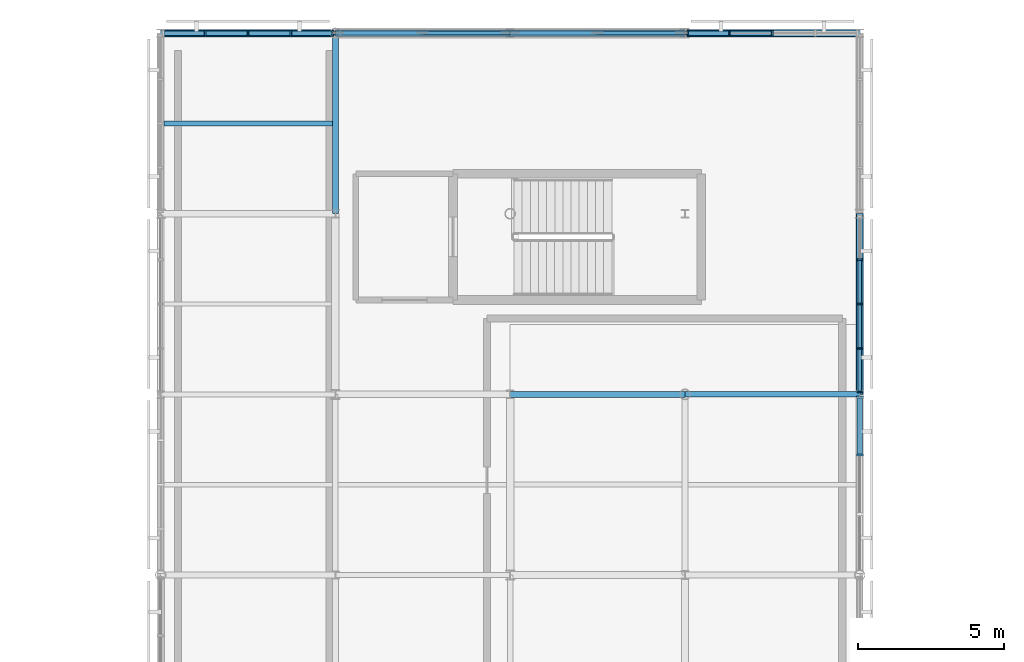
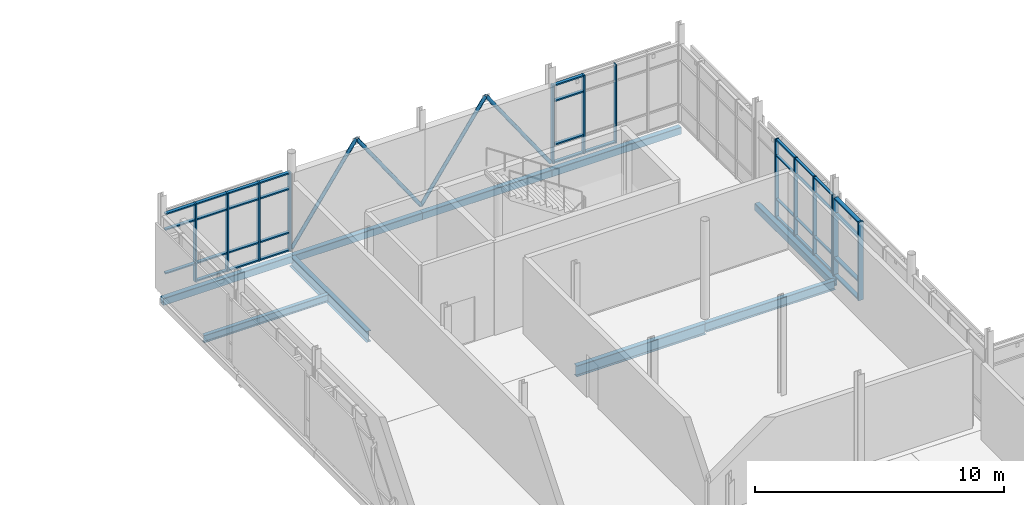
# One storey, part 33 of 66: 53 members, 9 beams, 4 elements without a shape of their own.
"""IFC4 building model written with IfcOpenShell, lengths in metres."""

from ifc_helpers import new_model, si_unit, direction, frame, origin, origin_2d, place, context, subcontext, project, spatial, rectangle, hollow_rectangle, hollow_circle, i_section, extrude, material, layer, layer_set, material_profile, profile_set, type_object, element, aggregate, save


model = new_model("IFC4")

# Units and contexts
model_context = context("Model", 3, precision=1e-05, world=origin(), true_north=direction((0.0, 1.0)))
body_context = subcontext(model_context, "Body", "Model", "MODEL_VIEW")
ifc_project = project(units=[si_unit("LENGTHUNIT", "METRE"), si_unit("AREAUNIT", "SQUARE_METRE"), si_unit("VOLUMEUNIT", "CUBIC_METRE"), si_unit("PLANEANGLEUNIT", "RADIAN"), si_unit("MASSUNIT", "GRAM", prefix="KILO")], contexts=[model_context])

# Site, building, storey
site_placement = place(None, origin())
site = spatial("IfcSite", under=ifc_project, at=site_placement, CompositionType="ELEMENT")
building_placement = place(site_placement, origin())
building = spatial("IfcBuilding", under=site, at=building_placement, Name="Mirzam Square Science Centre", CompositionType="ELEMENT")
storey_placement = place(building_placement, frame((0.0, 0.0, 15.60009765625)))
storey = spatial("IfcBuildingStorey", under=building, at=storey_placement, Name="L03", CompositionType="ELEMENT", Elevation=15.60009765625)

# Beams
ifc_material_1 = material(Name="Steel S355", Category="steel")
ifc_material_profile_1 = material_profile(ifc_material_1, i_section(OverallWidth=0.19140625, OverallDepth=0.4599609375, WebThickness=0.010009765625, FlangeThickness=0.01611328125, FilletRadius=0.01025390625, at=origin_2d()), Name="457x191x82UB")
ifc_profile_set_1 = profile_set([ifc_material_profile_1], Name="Steel S355")
beam_type_1 = type_object("IfcBeamType", Name="BM-UB457", PredefinedType="BEAM", material=ifc_profile_set_1)
beam_1_placement = place(storey_placement, frame((132.0, 99.199951171875, -0.47998046875), z_axis=(1.0, 0.0, 0.0), x_axis=(0.0, 1.0, 0.0)))
element("IfcBeam", 1, at=beam_1_placement, inside=storey, type_object=beam_type_1, Name="L03 girder X23-17", PredefinedType="BEAM", context=body_context, shape_type="SweptSolid", body=[
    extrude(i_section(OverallWidth=0.19140625, OverallDepth=0.4599609375, WebThickness=0.010009765625, FlangeThickness=0.01611328125, FilletRadius=0.01025390625, at=origin_2d()), origin(), (0.0, 0.0, 1.0), 6.0),
])
ifc_material_profile_2 = material_profile(ifc_material_1, i_section(OverallWidth=0.2099609375, OverallDepth=0.53662109375, WebThickness=0.0107421875, FlangeThickness=0.017333984375, FilletRadius=0.0126953125, at=origin_2d()), Name="533x210x101UB")
ifc_profile_set_2 = profile_set([ifc_material_profile_2], Name="Steel S355")
beam_type_2 = type_object("IfcBeamType", Name="BM-UB533", PredefinedType="BEAM", material=ifc_profile_set_2)
beam_2_placement = place(storey_placement, frame((126.0, 99.199951171875, -0.5185546875), z_axis=(1.0, 0.0, 0.0), x_axis=(0.0, 1.0, 0.0)))
element("IfcBeam", 2, at=beam_2_placement, inside=storey, type_object=beam_type_2, Name="L03 girder X22-17", PredefinedType="BEAM", context=body_context, shape_type="SweptSolid", body=[
    extrude(i_section(OverallWidth=0.2099609375, OverallDepth=0.53662109375, WebThickness=0.0107421875, FlangeThickness=0.017333984375, FilletRadius=0.0126953125, at=origin_2d()), origin(), (0.0, 0.0, 1.0), 6.0),
])
beam_3_placement = place(storey_placement, frame((120.0, 105.39990234375, -0.5185546875), z_axis=(0.0, 1.0, 0.0), x_axis=(-1.0, 0.0, 0.0)))
element("IfcBeam", 3, at=beam_3_placement, inside=storey, type_object=beam_type_2, Name="L03 girder Y21-18", PredefinedType="BEAM", context=body_context, shape_type="SweptSolid", body=[
    extrude(i_section(OverallWidth=0.2099609375, OverallDepth=0.53662109375, WebThickness=0.0107421875, FlangeThickness=0.017333984375, FilletRadius=0.0126953125, at=origin_2d()), origin(), (0.0, 0.0, 1.0), 6.2001953125),
])

# Members
ifc_material_profile_3 = material_profile(ifc_material_1, hollow_circle(Radius=0.084228515625, WallThickness=0.008056640625, at=origin_2d()), Name="168.3x8.0CHS")
ifc_profile_set_3 = profile_set([ifc_material_profile_3], Name="Steel S355")
member_type_1 = type_object("IfcMemberType", Name="BR-CHS168", PredefinedType="BRACE", material=ifc_profile_set_3)
for number, where, z_axis, x_axis, name in (
    (4, (120.0, 111.60009765625, 0.0498046875), (0.569933306564, 0.0, 0.821690955329), (0.0, 1.0, 0.0), "L03 chevron brace 8A"),
    (5, (126.0, 111.60009765625, 0.0498046875), (-0.569933306564, 0.0, 0.821690955329), (0.0, -1.0, 0.0), "L03 chevron brace 8B"),
    (6, (126.0, 111.60009765625, 0.0498046875), (0.569933306564, 0.0, 0.821690955329), (0.0, 1.0, 0.0), "L03 chevron brace 9A"),
    (7, (132.0, 111.60009765625, 0.0498046875), (-0.569933306564, 0.0, 0.821690955329), (0.0, -1.0, 0.0), "L03 chevron brace 9B"),
):
    element("IfcMember", number, at=place(storey_placement, frame(where, z_axis=z_axis, x_axis=x_axis)), inside=storey, type_object=member_type_1, Name=name, PredefinedType="BRACE", context=body_context, shape_type="SweptSolid", body=[
        extrude(hollow_circle(Radius=0.084228515625, WallThickness=0.008056640625, at=origin_2d()), origin(), (0.0, 0.0, 1.0), 5.263671875),
    ])

# Curtain wall, members
ifc_material_2 = material(Name="Anodised Aluminium and Low-E Solar Glass", Category="aluminium")
ifc_layer_1 = layer(ifc_material_2, 0.219970703125)
ifc_layer_set_1 = layer_set([ifc_layer_1], Name="CW-OBS-A")
curtain_wall_type_1 = type_object("IfcCurtainWallType", Name="CW-OBS-A", PredefinedType="USERDEFINED", material=ifc_layer_set_1)
curtain_wall_1_placement = place(storey_placement, origin())
curtain_wall_1 = element("IfcCurtainWall", 8, at=curtain_wall_1_placement, inside=storey, type_object=curtain_wall_type_1, Name="L03 unitised curtain wall 143", ObjectType="UNITISED CURTAIN WALL", PredefinedType="USERDEFINED")
ifc_material_3 = material(Name="Anodised Architectural Aluminium 6063-T6", Category="aluminium")
ifc_material_profile_4 = material_profile(ifc_material_3, rectangle(XDim=0.06005859375, YDim=0.159912109375, at=origin_2d()), Name="ALU-MULL-160x60x4")
ifc_profile_set_4 = profile_set([ifc_material_profile_4], Name="Anodised Architectural Aluminium 6063-T6")
member_type_2 = type_object("IfcMemberType", Name="CWM-160", PredefinedType="MULLION", material=ifc_profile_set_4)
member_1_placement = place(storey_placement, frame((138.0, 99.284912109375, 0.0), z_axis=(0.0, 0.0, 1.0), x_axis=(0.0, 1.0, 0.0)))
member_1 = element("IfcMember", 9, at=member_1_placement, type_object=member_type_2, Name="CW-07 mullion 1", PredefinedType="MULLION", context=body_context, shape_type="SweptSolid", body=[
    extrude(rectangle(XDim=0.06005859375, YDim=0.159912109375, at=origin_2d()), origin(), (0.0, 0.0, 1.0), 3.83984375),
])
member_2_placement = place(storey_placement, frame((138.0, 100.777587890625, 0.0), z_axis=(0.0, 0.0, 1.0), x_axis=(0.0, 1.0, 0.0)))
member_2 = element("IfcMember", 10, at=member_2_placement, type_object=member_type_2, Name="CW-07 mullion 2", PredefinedType="MULLION", context=body_context, shape_type="SweptSolid", body=[
    extrude(rectangle(XDim=0.06005859375, YDim=0.159912109375, at=origin_2d()), origin(), (0.0, 0.0, 1.0), 3.83984375),
])
member_3_placement = place(storey_placement, frame((138.0, 102.300048828125, 0.0), z_axis=(0.0, 0.0, 1.0), x_axis=(0.0, 1.0, 0.0)))
member_3 = element("IfcMember", 11, at=member_3_placement, type_object=member_type_2, Name="CW-07 mullion 3", PredefinedType="MULLION", context=body_context, shape_type="SweptSolid", body=[
    extrude(rectangle(XDim=0.06005859375, YDim=0.159912109375, at=origin_2d()), origin(), (0.0, 0.0, 1.0), 3.83984375),
])
member_4_placement = place(storey_placement, frame((138.0, 103.822509765625, 0.0), z_axis=(0.0, 0.0, 1.0), x_axis=(0.0, 1.0, 0.0)))
member_4 = element("IfcMember", 12, at=member_4_placement, type_object=member_type_2, Name="CW-07 mullion 4", PredefinedType="MULLION", context=body_context, shape_type="SweptSolid", body=[
    extrude(rectangle(XDim=0.06005859375, YDim=0.159912109375, at=origin_2d()), origin(), (0.0, 0.0, 1.0), 3.83984375),
])

ifc_layer_2 = layer(ifc_material_2, 0.159912109375)
ifc_layer_set_2 = layer_set([ifc_layer_2], Name="CW-COURT-B")
curtain_wall_type_2 = type_object("IfcCurtainWallType", Name="CW-COURT-B", PredefinedType="USERDEFINED", material=ifc_layer_set_2)
curtain_wall_2_placement = place(storey_placement, origin())
curtain_wall_2 = element("IfcCurtainWall", 13, at=curtain_wall_2_placement, inside=storey, type_object=curtain_wall_type_2, Name="L03 unitised curtain wall 136", ObjectType="UNITISED CURTAIN WALL", PredefinedType="USERDEFINED")
ifc_material_profile_5 = material_profile(ifc_material_3, rectangle(XDim=0.06494140625, YDim=0.199951171875, at=origin_2d()), Name="ALU-MULL-200x65x5")
ifc_profile_set_5 = profile_set([ifc_material_profile_5], Name="Anodised Architectural Aluminium 6063-T6")
member_type_3 = type_object("IfcMemberType", Name="CWM-200", PredefinedType="MULLION", material=ifc_profile_set_5)
member_5_placement = place(storey_placement, frame((119.91259765625, 111.60009765625, 0.0), z_axis=(0.0, 0.0, 1.0), x_axis=(-1.0, 0.0, 0.0)))
member_5 = element("IfcMember", 14, at=member_5_placement, type_object=member_type_3, Name="CW-04 mullion 1", PredefinedType="MULLION", context=body_context, shape_type="SweptSolid", body=[
    extrude(rectangle(XDim=0.06494140625, YDim=0.199951171875, at=origin_2d()), origin(), (0.0, 0.0, 1.0), 3.83984375),
])
member_6_placement = place(storey_placement, frame((118.472412109375, 111.60009765625, 0.0), z_axis=(0.0, 0.0, 1.0), x_axis=(-1.0, 0.0, 0.0)))
member_6 = element("IfcMember", 15, at=member_6_placement, type_object=member_type_3, Name="CW-04 mullion 2", PredefinedType="MULLION", context=body_context, shape_type="SweptSolid", body=[
    extrude(rectangle(XDim=0.06494140625, YDim=0.199951171875, at=origin_2d()), origin(), (0.0, 0.0, 1.0), 3.83984375),
])
member_7_placement = place(storey_placement, frame((117.0, 111.60009765625, 0.0), z_axis=(0.0, 0.0, 1.0), x_axis=(-1.0, 0.0, 0.0)))
member_7 = element("IfcMember", 16, at=member_7_placement, type_object=member_type_3, Name="CW-04 mullion 3", PredefinedType="MULLION", context=body_context, shape_type="SweptSolid", body=[
    extrude(rectangle(XDim=0.06494140625, YDim=0.199951171875, at=origin_2d()), origin(), (0.0, 0.0, 1.0), 3.83984375),
])
member_8_placement = place(storey_placement, frame((115.527587890625, 111.60009765625, 0.0), z_axis=(0.0, 0.0, 1.0), x_axis=(-1.0, 0.0, 0.0)))
member_8 = element("IfcMember", 17, at=member_8_placement, type_object=member_type_3, Name="CW-04 mullion 4", PredefinedType="MULLION", context=body_context, shape_type="SweptSolid", body=[
    extrude(rectangle(XDim=0.06494140625, YDim=0.199951171875, at=origin_2d()), origin(), (0.0, 0.0, 1.0), 3.83984375),
])

curtain_wall_3_placement = place(storey_placement, origin())
curtain_wall_3 = element("IfcCurtainWall", 18, at=curtain_wall_3_placement, inside=storey, type_object=curtain_wall_type_1, Name="L03 unitised curtain wall 137", ObjectType="UNITISED CURTAIN WALL", PredefinedType="USERDEFINED")
member_9_placement = place(storey_placement, frame((135.0, 111.60009765625, 0.0), z_axis=(0.0, 0.0, 1.0), x_axis=(-1.0, 0.0, 0.0)))
member_9 = element("IfcMember", 19, at=member_9_placement, type_object=member_type_3, Name="CW-07 mullion 3", PredefinedType="MULLION", context=body_context, shape_type="SweptSolid", body=[
    extrude(rectangle(XDim=0.06494140625, YDim=0.199951171875, at=origin_2d()), origin(), (0.0, 0.0, 1.0), 3.83984375),
])
member_10_placement = place(storey_placement, frame((133.527587890625, 111.60009765625, 0.0), z_axis=(0.0, 0.0, 1.0), x_axis=(-1.0, 0.0, 0.0)))
member_10 = element("IfcMember", 20, at=member_10_placement, type_object=member_type_3, Name="CW-07 mullion 4", PredefinedType="MULLION", context=body_context, shape_type="SweptSolid", body=[
    extrude(rectangle(XDim=0.06494140625, YDim=0.199951171875, at=origin_2d()), origin(), (0.0, 0.0, 1.0), 3.83984375),
])
member_11_placement = place(storey_placement, frame((132.08740234375, 111.60009765625, 0.0), z_axis=(0.0, 0.0, 1.0), x_axis=(-1.0, 0.0, 0.0)))
member_11 = element("IfcMember", 21, at=member_11_placement, type_object=member_type_3, Name="CW-07 mullion 5", PredefinedType="MULLION", context=body_context, shape_type="SweptSolid", body=[
    extrude(rectangle(XDim=0.06494140625, YDim=0.199951171875, at=origin_2d()), origin(), (0.0, 0.0, 1.0), 3.83984375),
])

ifc_layer_3 = layer(ifc_material_2, 0.239990234375)
ifc_layer_set_3 = layer_set([ifc_layer_3], Name="CW-EAST-B")
curtain_wall_type_3 = type_object("IfcCurtainWallType", Name="CW-EAST-B", PredefinedType="USERDEFINED", material=ifc_layer_set_3)
curtain_wall_4_placement = place(storey_placement, origin())
curtain_wall_4 = element("IfcCurtainWall", 22, at=curtain_wall_4_placement, inside=storey, type_object=curtain_wall_type_3, Name="L03 unitised curtain wall 141", ObjectType="UNITISED CURTAIN WALL", PredefinedType="USERDEFINED")
ifc_material_profile_6 = material_profile(ifc_material_3, rectangle(XDim=0.074951171875, YDim=0.239990234375, at=origin_2d()), Name="ALU-MULL-240x75x5")
ifc_profile_set_6 = profile_set([ifc_material_profile_6], Name="Anodised Architectural Aluminium 6063-T6")
member_type_4 = type_object("IfcMemberType", Name="CWM-240", PredefinedType="MULLION", material=ifc_profile_set_6)
member_12_placement = place(storey_placement, frame((138.0, 97.114990234375, 0.0), z_axis=(0.0, 0.0, 1.0), x_axis=(0.0, 1.0, 0.0)))
member_12 = element("IfcMember", 23, at=member_12_placement, type_object=member_type_4, Name="CW-06 mullion 3", PredefinedType="MULLION", context=body_context, shape_type="SweptSolid", body=[
    extrude(rectangle(XDim=0.074951171875, YDim=0.239990234375, at=origin_2d()), origin(), (0.0, 0.0, 1.0), 3.83984375),
])
member_13_placement = place(storey_placement, frame((138.0, 99.107421875, 0.0), z_axis=(0.0, 0.0, 1.0), x_axis=(0.0, 1.0, 0.0)))
member_13 = element("IfcMember", 24, at=member_13_placement, type_object=member_type_4, Name="CW-06 mullion 4", PredefinedType="MULLION", context=body_context, shape_type="SweptSolid", body=[
    extrude(rectangle(XDim=0.074951171875, YDim=0.239990234375, at=origin_2d()), origin(), (0.0, 0.0, 1.0), 3.83984375),
])

# Member
ifc_material_profile_7 = material_profile(ifc_material_3, rectangle(XDim=0.1201171875, YDim=0.06005859375, at=origin_2d()), Name="ALU-TRAN-120x60x4")
ifc_profile_set_7 = profile_set([ifc_material_profile_7], Name="Anodised Architectural Aluminium 6063-T6")
member_type_5 = type_object("IfcMemberType", Name="CWT-120", PredefinedType="USERDEFINED", material=ifc_profile_set_7)
member_14_placement = place(storey_placement, frame((138.0, 99.31494140625, 0.02978515625), z_axis=(0.0, 1.0, 0.0), x_axis=(-1.0, 0.0, 0.0)))
member_14 = element("IfcMember", 25, at=member_14_placement, type_object=member_type_5, Name="CW-07 transom 1.1", ObjectType="TRANSOM", PredefinedType="USERDEFINED", context=body_context, shape_type="SweptSolid", body=[
    extrude(rectangle(XDim=0.1201171875, YDim=0.06005859375, at=origin_2d()), origin(), (0.0, 0.0, 1.0), 1.4326171875),
])

member_15_placement = place(storey_placement, frame((138.0, 99.31494140625, 0.89990234375), z_axis=(0.0, 1.0, 0.0), x_axis=(-1.0, 0.0, 0.0)))
member_15 = element("IfcMember", 26, at=member_15_placement, type_object=member_type_5, Name="CW-07 transom 1.2", ObjectType="TRANSOM", PredefinedType="USERDEFINED", context=body_context, shape_type="SweptSolid", body=[
    extrude(rectangle(XDim=0.1201171875, YDim=0.06005859375, at=origin_2d()), origin(), (0.0, 0.0, 1.0), 1.4326171875),
])

member_16_placement = place(storey_placement, frame((138.0, 99.31494140625, 3.039794921875), z_axis=(0.0, 1.0, 0.0), x_axis=(-1.0, 0.0, 0.0)))
member_16 = element("IfcMember", 27, at=member_16_placement, type_object=member_type_5, Name="CW-07 transom 1.3", ObjectType="TRANSOM", PredefinedType="USERDEFINED", context=body_context, shape_type="SweptSolid", body=[
    extrude(rectangle(XDim=0.1201171875, YDim=0.06005859375, at=origin_2d()), origin(), (0.0, 0.0, 1.0), 1.4326171875),
])

member_17_placement = place(storey_placement, frame((138.0, 99.31494140625, 3.809814453125), z_axis=(0.0, 1.0, 0.0), x_axis=(-1.0, 0.0, 0.0)))
member_17 = element("IfcMember", 28, at=member_17_placement, type_object=member_type_5, Name="CW-07 transom 1.4", ObjectType="TRANSOM", PredefinedType="USERDEFINED", context=body_context, shape_type="SweptSolid", body=[
    extrude(rectangle(XDim=0.1201171875, YDim=0.06005859375, at=origin_2d()), origin(), (0.0, 0.0, 1.0), 1.4326171875),
])

member_18_placement = place(storey_placement, frame((138.0, 100.8076171875, 0.02978515625), z_axis=(0.0, 1.0, 0.0), x_axis=(-1.0, 0.0, 0.0)))
member_18 = element("IfcMember", 29, at=member_18_placement, type_object=member_type_5, Name="CW-07 transom 2.1", ObjectType="TRANSOM", PredefinedType="USERDEFINED", context=body_context, shape_type="SweptSolid", body=[
    extrude(rectangle(XDim=0.1201171875, YDim=0.06005859375, at=origin_2d()), origin(), (0.0, 0.0, 1.0), 1.46240234375),
])

member_19_placement = place(storey_placement, frame((138.0, 100.8076171875, 0.89990234375), z_axis=(0.0, 1.0, 0.0), x_axis=(-1.0, 0.0, 0.0)))
member_19 = element("IfcMember", 30, at=member_19_placement, type_object=member_type_5, Name="CW-07 transom 2.2", ObjectType="TRANSOM", PredefinedType="USERDEFINED", context=body_context, shape_type="SweptSolid", body=[
    extrude(rectangle(XDim=0.1201171875, YDim=0.06005859375, at=origin_2d()), origin(), (0.0, 0.0, 1.0), 1.46240234375),
])

member_20_placement = place(storey_placement, frame((138.0, 100.8076171875, 3.039794921875), z_axis=(0.0, 1.0, 0.0), x_axis=(-1.0, 0.0, 0.0)))
member_20 = element("IfcMember", 31, at=member_20_placement, type_object=member_type_5, Name="CW-07 transom 2.3", ObjectType="TRANSOM", PredefinedType="USERDEFINED", context=body_context, shape_type="SweptSolid", body=[
    extrude(rectangle(XDim=0.1201171875, YDim=0.06005859375, at=origin_2d()), origin(), (0.0, 0.0, 1.0), 1.46240234375),
])

member_21_placement = place(storey_placement, frame((138.0, 100.8076171875, 3.809814453125), z_axis=(0.0, 1.0, 0.0), x_axis=(-1.0, 0.0, 0.0)))
member_21 = element("IfcMember", 32, at=member_21_placement, type_object=member_type_5, Name="CW-07 transom 2.4", ObjectType="TRANSOM", PredefinedType="USERDEFINED", context=body_context, shape_type="SweptSolid", body=[
    extrude(rectangle(XDim=0.1201171875, YDim=0.06005859375, at=origin_2d()), origin(), (0.0, 0.0, 1.0), 1.46240234375),
])

member_22_placement = place(storey_placement, frame((138.0, 102.330078125, 0.02978515625), z_axis=(0.0, 1.0, 0.0), x_axis=(-1.0, 0.0, 0.0)))
member_22 = element("IfcMember", 33, at=member_22_placement, type_object=member_type_5, Name="CW-07 transom 3.1", ObjectType="TRANSOM", PredefinedType="USERDEFINED", context=body_context, shape_type="SweptSolid", body=[
    extrude(rectangle(XDim=0.1201171875, YDim=0.06005859375, at=origin_2d()), origin(), (0.0, 0.0, 1.0), 1.46240234375),
])

member_23_placement = place(storey_placement, frame((138.0, 102.330078125, 0.89990234375), z_axis=(0.0, 1.0, 0.0), x_axis=(-1.0, 0.0, 0.0)))
member_23 = element("IfcMember", 34, at=member_23_placement, type_object=member_type_5, Name="CW-07 transom 3.2", ObjectType="TRANSOM", PredefinedType="USERDEFINED", context=body_context, shape_type="SweptSolid", body=[
    extrude(rectangle(XDim=0.1201171875, YDim=0.06005859375, at=origin_2d()), origin(), (0.0, 0.0, 1.0), 1.46240234375),
])

member_24_placement = place(storey_placement, frame((138.0, 102.330078125, 3.039794921875), z_axis=(0.0, 1.0, 0.0), x_axis=(-1.0, 0.0, 0.0)))
member_24 = element("IfcMember", 35, at=member_24_placement, type_object=member_type_5, Name="CW-07 transom 3.3", ObjectType="TRANSOM", PredefinedType="USERDEFINED", context=body_context, shape_type="SweptSolid", body=[
    extrude(rectangle(XDim=0.1201171875, YDim=0.06005859375, at=origin_2d()), origin(), (0.0, 0.0, 1.0), 1.46240234375),
])

member_25_placement = place(storey_placement, frame((138.0, 102.330078125, 3.809814453125), z_axis=(0.0, 1.0, 0.0), x_axis=(-1.0, 0.0, 0.0)))
member_25 = element("IfcMember", 36, at=member_25_placement, type_object=member_type_5, Name="CW-07 transom 3.4", ObjectType="TRANSOM", PredefinedType="USERDEFINED", context=body_context, shape_type="SweptSolid", body=[
    extrude(rectangle(XDim=0.1201171875, YDim=0.06005859375, at=origin_2d()), origin(), (0.0, 0.0, 1.0), 1.46240234375),
])

aggregate(curtain_wall_1, [member_1, member_2, member_3, member_4, member_14, member_15, member_16, member_17, member_18, member_19, member_20, member_21, member_22, member_23, member_24, member_25])

ifc_material_profile_8 = material_profile(ifc_material_3, rectangle(XDim=0.14990234375, YDim=0.06494140625, at=origin_2d()), Name="ALU-TRAN-150x65x4")
ifc_profile_set_8 = profile_set([ifc_material_profile_8], Name="Anodised Architectural Aluminium 6063-T6")
member_type_6 = type_object("IfcMemberType", Name="CWT-150", PredefinedType="USERDEFINED", material=ifc_profile_set_8)
member_26_placement = place(storey_placement, frame((119.8798828125, 111.60009765625, 0.032470703125), z_axis=(-1.0, 0.0, 0.0), x_axis=(0.0, -1.0, 0.0)))
member_26 = element("IfcMember", 37, at=member_26_placement, type_object=member_type_6, Name="CW-04 transom 1.1", ObjectType="TRANSOM", PredefinedType="USERDEFINED", context=body_context, shape_type="SweptSolid", body=[
    extrude(rectangle(XDim=0.14990234375, YDim=0.06494140625, at=origin_2d()), origin(), (0.0, 0.0, 1.0), 1.375),
])

member_27_placement = place(storey_placement, frame((119.8798828125, 111.60009765625, 0.89990234375), z_axis=(-1.0, 0.0, 0.0), x_axis=(0.0, -1.0, 0.0)))
member_27 = element("IfcMember", 38, at=member_27_placement, type_object=member_type_6, Name="CW-04 transom 1.2", ObjectType="TRANSOM", PredefinedType="USERDEFINED", context=body_context, shape_type="SweptSolid", body=[
    extrude(rectangle(XDim=0.14990234375, YDim=0.06494140625, at=origin_2d()), origin(), (0.0, 0.0, 1.0), 1.375),
])

member_28_placement = place(storey_placement, frame((119.8798828125, 111.60009765625, 3.039794921875), z_axis=(-1.0, 0.0, 0.0), x_axis=(0.0, -1.0, 0.0)))
member_28 = element("IfcMember", 39, at=member_28_placement, type_object=member_type_6, Name="CW-04 transom 1.3", ObjectType="TRANSOM", PredefinedType="USERDEFINED", context=body_context, shape_type="SweptSolid", body=[
    extrude(rectangle(XDim=0.14990234375, YDim=0.06494140625, at=origin_2d()), origin(), (0.0, 0.0, 1.0), 1.375),
])

member_29_placement = place(storey_placement, frame((119.8798828125, 111.60009765625, 3.807373046875), z_axis=(-1.0, 0.0, 0.0), x_axis=(0.0, -1.0, 0.0)))
member_29 = element("IfcMember", 40, at=member_29_placement, type_object=member_type_6, Name="CW-04 transom 1.4", ObjectType="TRANSOM", PredefinedType="USERDEFINED", context=body_context, shape_type="SweptSolid", body=[
    extrude(rectangle(XDim=0.14990234375, YDim=0.06494140625, at=origin_2d()), origin(), (0.0, 0.0, 1.0), 1.375),
])

member_30_placement = place(storey_placement, frame((118.43994140625, 111.60009765625, 0.032470703125), z_axis=(-1.0, 0.0, 0.0), x_axis=(0.0, -1.0, 0.0)))
member_30 = element("IfcMember", 41, at=member_30_placement, type_object=member_type_6, Name="CW-04 transom 2.1", ObjectType="TRANSOM", PredefinedType="USERDEFINED", context=body_context, shape_type="SweptSolid", body=[
    extrude(rectangle(XDim=0.14990234375, YDim=0.06494140625, at=origin_2d()), origin(), (0.0, 0.0, 1.0), 1.407470703125),
])

member_31_placement = place(storey_placement, frame((118.43994140625, 111.60009765625, 0.89990234375), z_axis=(-1.0, 0.0, 0.0), x_axis=(0.0, -1.0, 0.0)))
member_31 = element("IfcMember", 42, at=member_31_placement, type_object=member_type_6, Name="CW-04 transom 2.2", ObjectType="TRANSOM", PredefinedType="USERDEFINED", context=body_context, shape_type="SweptSolid", body=[
    extrude(rectangle(XDim=0.14990234375, YDim=0.06494140625, at=origin_2d()), origin(), (0.0, 0.0, 1.0), 1.407470703125),
])

member_32_placement = place(storey_placement, frame((118.43994140625, 111.60009765625, 3.039794921875), z_axis=(-1.0, 0.0, 0.0), x_axis=(0.0, -1.0, 0.0)))
member_32 = element("IfcMember", 43, at=member_32_placement, type_object=member_type_6, Name="CW-04 transom 2.3", ObjectType="TRANSOM", PredefinedType="USERDEFINED", context=body_context, shape_type="SweptSolid", body=[
    extrude(rectangle(XDim=0.14990234375, YDim=0.06494140625, at=origin_2d()), origin(), (0.0, 0.0, 1.0), 1.407470703125),
])

member_33_placement = place(storey_placement, frame((118.43994140625, 111.60009765625, 3.807373046875), z_axis=(-1.0, 0.0, 0.0), x_axis=(0.0, -1.0, 0.0)))
member_33 = element("IfcMember", 44, at=member_33_placement, type_object=member_type_6, Name="CW-04 transom 2.4", ObjectType="TRANSOM", PredefinedType="USERDEFINED", context=body_context, shape_type="SweptSolid", body=[
    extrude(rectangle(XDim=0.14990234375, YDim=0.06494140625, at=origin_2d()), origin(), (0.0, 0.0, 1.0), 1.407470703125),
])

member_34_placement = place(storey_placement, frame((116.967529296875, 111.60009765625, 0.032470703125), z_axis=(-1.0, 0.0, 0.0), x_axis=(0.0, -1.0, 0.0)))
member_34 = element("IfcMember", 45, at=member_34_placement, type_object=member_type_6, Name="CW-04 transom 3.1", ObjectType="TRANSOM", PredefinedType="USERDEFINED", context=body_context, shape_type="SweptSolid", body=[
    extrude(rectangle(XDim=0.14990234375, YDim=0.06494140625, at=origin_2d()), origin(), (0.0, 0.0, 1.0), 1.407470703125),
])

member_35_placement = place(storey_placement, frame((116.967529296875, 111.60009765625, 0.89990234375), z_axis=(-1.0, 0.0, 0.0), x_axis=(0.0, -1.0, 0.0)))
member_35 = element("IfcMember", 46, at=member_35_placement, type_object=member_type_6, Name="CW-04 transom 3.2", ObjectType="TRANSOM", PredefinedType="USERDEFINED", context=body_context, shape_type="SweptSolid", body=[
    extrude(rectangle(XDim=0.14990234375, YDim=0.06494140625, at=origin_2d()), origin(), (0.0, 0.0, 1.0), 1.407470703125),
])

member_36_placement = place(storey_placement, frame((116.967529296875, 111.60009765625, 3.039794921875), z_axis=(-1.0, 0.0, 0.0), x_axis=(0.0, -1.0, 0.0)))
member_36 = element("IfcMember", 47, at=member_36_placement, type_object=member_type_6, Name="CW-04 transom 3.3", ObjectType="TRANSOM", PredefinedType="USERDEFINED", context=body_context, shape_type="SweptSolid", body=[
    extrude(rectangle(XDim=0.14990234375, YDim=0.06494140625, at=origin_2d()), origin(), (0.0, 0.0, 1.0), 1.407470703125),
])

member_37_placement = place(storey_placement, frame((116.967529296875, 111.60009765625, 3.807373046875), z_axis=(-1.0, 0.0, 0.0), x_axis=(0.0, -1.0, 0.0)))
member_37 = element("IfcMember", 48, at=member_37_placement, type_object=member_type_6, Name="CW-04 transom 3.4", ObjectType="TRANSOM", PredefinedType="USERDEFINED", context=body_context, shape_type="SweptSolid", body=[
    extrude(rectangle(XDim=0.14990234375, YDim=0.06494140625, at=origin_2d()), origin(), (0.0, 0.0, 1.0), 1.407470703125),
])

member_38_placement = place(storey_placement, frame((115.4951171875, 111.60009765625, 0.89990234375), z_axis=(-1.0, 0.0, 0.0), x_axis=(0.0, -1.0, 0.0)))
member_38 = element("IfcMember", 49, at=member_38_placement, type_object=member_type_6, Name="CW-04 transom 4.2", ObjectType="TRANSOM", PredefinedType="USERDEFINED", context=body_context, shape_type="SweptSolid", body=[
    extrude(rectangle(XDim=0.14990234375, YDim=0.06494140625, at=origin_2d()), origin(), (0.0, 0.0, 1.0), 1.375),
])

member_39_placement = place(storey_placement, frame((115.4951171875, 111.60009765625, 3.039794921875), z_axis=(-1.0, 0.0, 0.0), x_axis=(0.0, -1.0, 0.0)))
member_39 = element("IfcMember", 50, at=member_39_placement, type_object=member_type_6, Name="CW-04 transom 4.3", ObjectType="TRANSOM", PredefinedType="USERDEFINED", context=body_context, shape_type="SweptSolid", body=[
    extrude(rectangle(XDim=0.14990234375, YDim=0.06494140625, at=origin_2d()), origin(), (0.0, 0.0, 1.0), 1.375),
])

member_40_placement = place(storey_placement, frame((115.4951171875, 111.60009765625, 3.807373046875), z_axis=(-1.0, 0.0, 0.0), x_axis=(0.0, -1.0, 0.0)))
member_40 = element("IfcMember", 51, at=member_40_placement, type_object=member_type_6, Name="CW-04 transom 4.4", ObjectType="TRANSOM", PredefinedType="USERDEFINED", context=body_context, shape_type="SweptSolid", body=[
    extrude(rectangle(XDim=0.14990234375, YDim=0.06494140625, at=origin_2d()), origin(), (0.0, 0.0, 1.0), 1.375),
])

aggregate(curtain_wall_2, [member_5, member_6, member_7, member_8, member_26, member_27, member_28, member_29, member_30, member_31, member_32, member_33, member_34, member_35, member_36, member_37, member_38, member_39, member_40])

member_41_placement = place(storey_placement, frame((134.967529296875, 111.60009765625, 0.032470703125), z_axis=(-1.0, 0.0, 0.0), x_axis=(0.0, -1.0, 0.0)))
member_41 = element("IfcMember", 52, at=member_41_placement, type_object=member_type_6, Name="CW-07 transom 3.1", ObjectType="TRANSOM", PredefinedType="USERDEFINED", context=body_context, shape_type="SweptSolid", body=[
    extrude(rectangle(XDim=0.14990234375, YDim=0.06494140625, at=origin_2d()), origin(), (0.0, 0.0, 1.0), 1.407470703125),
])

member_42_placement = place(storey_placement, frame((133.4951171875, 111.60009765625, 0.032470703125), z_axis=(-1.0, 0.0, 0.0), x_axis=(0.0, -1.0, 0.0)))
member_42 = element("IfcMember", 53, at=member_42_placement, type_object=member_type_6, Name="CW-07 transom 4.1", ObjectType="TRANSOM", PredefinedType="USERDEFINED", context=body_context, shape_type="SweptSolid", body=[
    extrude(rectangle(XDim=0.14990234375, YDim=0.06494140625, at=origin_2d()), origin(), (0.0, 0.0, 1.0), 1.375),
])

member_43_placement = place(storey_placement, frame((133.4951171875, 111.60009765625, 0.89990234375), z_axis=(-1.0, 0.0, 0.0), x_axis=(0.0, -1.0, 0.0)))
member_43 = element("IfcMember", 54, at=member_43_placement, type_object=member_type_6, Name="CW-07 transom 4.2", ObjectType="TRANSOM", PredefinedType="USERDEFINED", context=body_context, shape_type="SweptSolid", body=[
    extrude(rectangle(XDim=0.14990234375, YDim=0.06494140625, at=origin_2d()), origin(), (0.0, 0.0, 1.0), 1.375),
])

member_44_placement = place(storey_placement, frame((133.4951171875, 111.60009765625, 3.039794921875), z_axis=(-1.0, 0.0, 0.0), x_axis=(0.0, -1.0, 0.0)))
member_44 = element("IfcMember", 55, at=member_44_placement, type_object=member_type_6, Name="CW-07 transom 4.3", ObjectType="TRANSOM", PredefinedType="USERDEFINED", context=body_context, shape_type="SweptSolid", body=[
    extrude(rectangle(XDim=0.14990234375, YDim=0.06494140625, at=origin_2d()), origin(), (0.0, 0.0, 1.0), 1.375),
])

member_45_placement = place(storey_placement, frame((133.4951171875, 111.60009765625, 3.807373046875), z_axis=(-1.0, 0.0, 0.0), x_axis=(0.0, -1.0, 0.0)))
member_45 = element("IfcMember", 56, at=member_45_placement, type_object=member_type_6, Name="CW-07 transom 4.4", ObjectType="TRANSOM", PredefinedType="USERDEFINED", context=body_context, shape_type="SweptSolid", body=[
    extrude(rectangle(XDim=0.14990234375, YDim=0.06494140625, at=origin_2d()), origin(), (0.0, 0.0, 1.0), 1.375),
])

aggregate(curtain_wall_3, [member_9, member_10, member_11, member_41, member_42, member_43, member_44, member_45])

ifc_material_profile_9 = material_profile(ifc_material_3, rectangle(XDim=0.179931640625, YDim=0.074951171875, at=origin_2d()), Name="ALU-TRAN-180x75x5")
ifc_profile_set_9 = profile_set([ifc_material_profile_9], Name="Anodised Architectural Aluminium 6063-T6")
member_type_7 = type_object("IfcMemberType", Name="CWT-180", PredefinedType="USERDEFINED", material=ifc_profile_set_9)
member_46_placement = place(storey_placement, frame((138.0, 97.152587890625, 0.037353515625), z_axis=(0.0, 1.0, 0.0), x_axis=(-1.0, 0.0, 0.0)))
member_46 = element("IfcMember", 57, at=member_46_placement, type_object=member_type_7, Name="CW-06 transom 3.1", ObjectType="TRANSOM", PredefinedType="USERDEFINED", context=body_context, shape_type="SweptSolid", body=[
    extrude(rectangle(XDim=0.179931640625, YDim=0.074951171875, at=origin_2d()), origin(), (0.0, 0.0, 1.0), 1.91748046875),
])

member_47_placement = place(storey_placement, frame((138.0, 97.152587890625, 0.89990234375), z_axis=(0.0, 1.0, 0.0), x_axis=(-1.0, 0.0, 0.0)))
member_47 = element("IfcMember", 58, at=member_47_placement, type_object=member_type_7, Name="CW-06 transom 3.2", ObjectType="TRANSOM", PredefinedType="USERDEFINED", context=body_context, shape_type="SweptSolid", body=[
    extrude(rectangle(XDim=0.179931640625, YDim=0.074951171875, at=origin_2d()), origin(), (0.0, 0.0, 1.0), 1.91748046875),
])

member_48_placement = place(storey_placement, frame((138.0, 97.152587890625, 3.039794921875), z_axis=(0.0, 1.0, 0.0), x_axis=(-1.0, 0.0, 0.0)))
member_48 = element("IfcMember", 59, at=member_48_placement, type_object=member_type_7, Name="CW-06 transom 3.3", ObjectType="TRANSOM", PredefinedType="USERDEFINED", context=body_context, shape_type="SweptSolid", body=[
    extrude(rectangle(XDim=0.179931640625, YDim=0.074951171875, at=origin_2d()), origin(), (0.0, 0.0, 1.0), 1.91748046875),
])

member_49_placement = place(storey_placement, frame((138.0, 97.152587890625, 3.802490234375), z_axis=(0.0, 1.0, 0.0), x_axis=(-1.0, 0.0, 0.0)))
member_49 = element("IfcMember", 60, at=member_49_placement, type_object=member_type_7, Name="CW-06 transom 3.4", ObjectType="TRANSOM", PredefinedType="USERDEFINED", context=body_context, shape_type="SweptSolid", body=[
    extrude(rectangle(XDim=0.179931640625, YDim=0.074951171875, at=origin_2d()), origin(), (0.0, 0.0, 1.0), 1.91748046875),
])

aggregate(curtain_wall_4, [member_12, member_13, member_46, member_47, member_48, member_49])

# Beams
ifc_material_profile_10 = material_profile(ifc_material_1, i_section(OverallWidth=0.172119140625, OverallDepth=0.35791015625, WebThickness=0.008056640625, FlangeThickness=0.012939453125, FilletRadius=0.01025390625, at=origin_2d()), Name="356x171x57UB")
ifc_profile_set_10 = profile_set([ifc_material_profile_10], Name="Steel S355")
beam_type_3 = type_object("IfcBeamType", Name="JS-UB356", PredefinedType="JOIST", material=ifc_profile_set_10)
beam_4_placement = place(storey_placement, frame((114.125, 108.5, -0.42919921875), z_axis=(1.0, 0.0, 0.0), x_axis=(0.0, 1.0, 0.0)))
element("IfcBeam", 61, at=beam_4_placement, inside=storey, type_object=beam_type_3, Name="L03 composite joist 20-18", PredefinedType="JOIST", context=body_context, shape_type="SweptSolid", body=[
    extrude(i_section(OverallWidth=0.172119140625, OverallDepth=0.35791015625, WebThickness=0.008056640625, FlangeThickness=0.012939453125, FilletRadius=0.01025390625, at=origin_2d()), origin(), (0.0, 0.0, 1.0), 5.77001953125),
])
ifc_material_profile_11 = material_profile(ifc_material_1, hollow_rectangle(XDim=0.25, YDim=0.35009765625, WallThickness=0.012451171875, InnerFilletRadius=0.012451171875, OuterFilletRadius=0.02490234375, at=origin_2d()), Name="350x250x12.5RHS")
ifc_profile_set_11 = profile_set([ifc_material_profile_11], Name="Steel S355")
beam_type_4 = type_object("IfcBeamType", Name="SP-RHS350", PredefinedType="SPANDREL", material=ifc_profile_set_11)
for number, where, z_axis, x_axis, name in (
    (62, (114.0, 111.60009765625, -0.425048828125), (1.0, 0.0, 0.0), (0.0, 1.0, 0.0), "L03 girder X20-19"),
    (63, (120.0, 111.60009765625, -0.425048828125), (1.0, 0.0, 0.0), (0.0, 1.0, 0.0), "L03 girder X21-19"),
    (64, (126.0, 111.60009765625, -0.425048828125), (1.0, 0.0, 0.0), (0.0, 1.0, 0.0), "L03 girder X22-19"),
    (65, (132.0, 111.60009765625, -0.425048828125), (1.0, 0.0, 0.0), (0.0, 1.0, 0.0), "L03 girder X23-19"),
):
    element("IfcBeam", number, at=place(storey_placement, frame(where, z_axis=z_axis, x_axis=x_axis)), inside=storey, type_object=beam_type_4, Name=name, PredefinedType="SPANDREL", context=body_context, shape_type="SweptSolid", body=[
        extrude(hollow_rectangle(XDim=0.25, YDim=0.35009765625, WallThickness=0.012451171875, InnerFilletRadius=0.012451171875, OuterFilletRadius=0.02490234375, at=origin_2d()), origin(), (0.0, 0.0, 1.0), 6.0),
    ])
beam_5_placement = place(storey_placement, frame((138.0, 99.199951171875, -0.425048828125), z_axis=(0.0, 1.0, 0.0), x_axis=(-1.0, 0.0, 0.0)))
element("IfcBeam", 66, at=beam_5_placement, inside=storey, type_object=beam_type_4, Name="L03 girder Y24-17", PredefinedType="SPANDREL", context=body_context, shape_type="SweptSolid", body=[
    extrude(hollow_rectangle(XDim=0.25, YDim=0.35009765625, WallThickness=0.012451171875, InnerFilletRadius=0.012451171875, OuterFilletRadius=0.02490234375, at=origin_2d()), origin(), (0.0, 0.0, 1.0), 6.199951171875),
])

save(model, "model.ifc")
